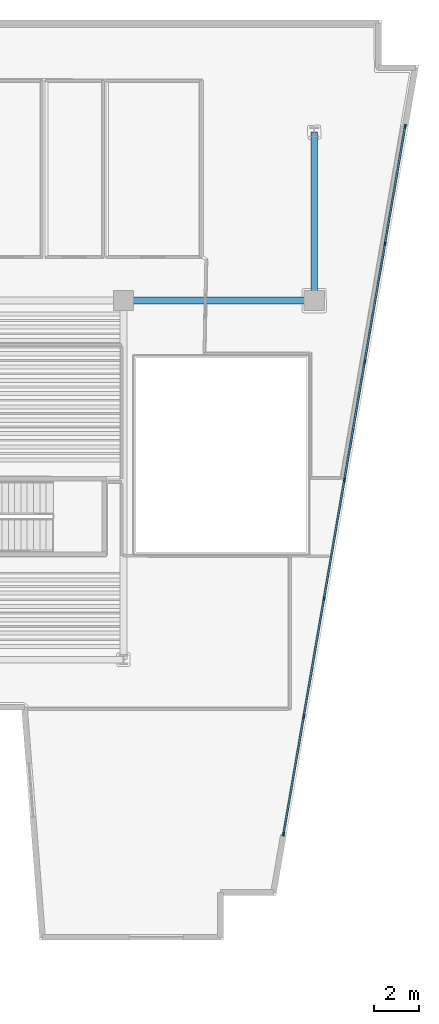
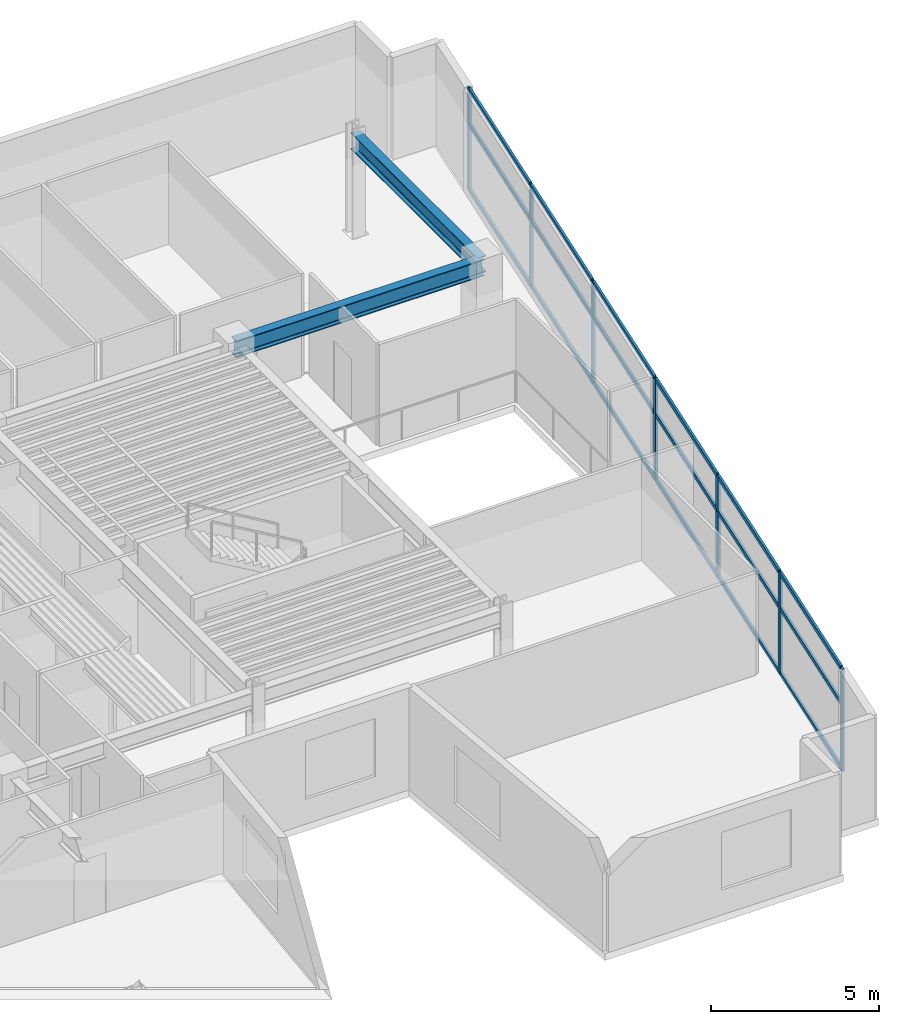
# One storey, part 2 of 9: 25 members, 2 beams, 1 element without a shape of its own.
"""IFC4 building model written with IfcOpenShell, lengths in metres."""

from ifc_helpers import new_model, si_unit, direction, frame, origin, origin_2d, place, context, subcontext, project, spatial, rectangle, i_section, extrude, material, layer, layer_set, material_profile, profile_set, type_object, element, aggregate, save


model = new_model("IFC4")

# Units and contexts
model_context = context("Model", 3, precision=1e-05, world=origin(), true_north=direction((0.0, 1.0)))
body_context = subcontext(model_context, "Body", "Model", "MODEL_VIEW")
ifc_project = project(units=[si_unit("LENGTHUNIT", "METRE"), si_unit("AREAUNIT", "SQUARE_METRE"), si_unit("VOLUMEUNIT", "CUBIC_METRE"), si_unit("PLANEANGLEUNIT", "RADIAN"), si_unit("MASSUNIT", "GRAM", prefix="KILO")], contexts=[model_context])

# Site, building, storey
site_placement = place(None, origin())
site = spatial("IfcSite", under=ifc_project, at=site_placement, CompositionType="ELEMENT")
building_placement = place(site_placement, origin())
building = spatial("IfcBuilding", under=site, at=building_placement, Name="Caeloran Harvest Quay", CompositionType="ELEMENT")
storey_placement = place(building_placement, frame((0.0, 0.0, 199.550048828125)))
storey = spatial("IfcBuildingStorey", under=building, at=storey_placement, Name="L47", CompositionType="ELEMENT", Elevation=199.550048828125)

# Beams
ifc_material_1 = material(Name="Steel S355J2", Category="steel")
ifc_material_profile_1 = material_profile(ifc_material_1, i_section(OverallWidth=0.300048828125, OverallDepth=0.60009765625, WebThickness=0.015380859375, FlangeThickness=0.030029296875, FilletRadius=0.027099609375, at=origin_2d()), Name="HE 600 B")
ifc_profile_set_1 = profile_set([ifc_material_profile_1], Name="Steel S355J2")
beam_type = type_object("IfcBeamType", Name="BM-PG-3-HE_600_B", PredefinedType="BEAM", material=ifc_profile_set_1)
beam_1_placement = place(storey_placement, frame((34.0, 31.0, 3.39990234375), z_axis=(1.0, 0.0, 0.0), x_axis=(0.0, 1.0, 0.0)))
element("IfcBeam", 1, at=beam_1_placement, inside=storey, type_object=beam_type, Name="L47 Primary East-West Girder Y=31.0", PredefinedType="BEAM", context=body_context, shape_type="SweptSolid", body=[
    extrude(i_section(OverallWidth=0.300048828125, OverallDepth=0.60009765625, WebThickness=0.015380859375, FlangeThickness=0.030029296875, FilletRadius=0.027099609375, at=origin_2d()), origin(), (0.0, 0.0, 1.0), 8.5),
])
beam_2_placement = place(storey_placement, frame((42.5, 31.0, 3.39990234375), z_axis=(0.0, 1.0, 0.0), x_axis=(-1.0, 0.0, 0.0)))
element("IfcBeam", 2, at=beam_2_placement, inside=storey, type_object=beam_type, Name="L47 Primary North-South Girder X=42.5", PredefinedType="BEAM", context=body_context, shape_type="SweptSolid", body=[
    extrude(i_section(OverallWidth=0.300048828125, OverallDepth=0.60009765625, WebThickness=0.015380859375, FlangeThickness=0.030029296875, FilletRadius=0.027099609375, at=origin_2d()), origin(), (0.0, 0.0, 1.0), 7.5),
])

# Curtain wall, members
ifc_material_2 = material(Name="Aluminium 6063-T6 and Low-E Glazing", Category="aluminium")
ifc_layer = layer(ifc_material_2, 0.2099609375, Name="Aluminium 6063-T6 and Low-E Glazing")
ifc_layer_set = layer_set([ifc_layer], Name="Aluminium 6063-T6 and Low-E Glazing")
curtain_wall_type = type_object("IfcCurtainWallType", Name="CW-SYS-CW-4", PredefinedType="USERDEFINED", material=ifc_layer_set)
curtain_wall_placement = place(storey_placement, origin())
curtain_wall = element("IfcCurtainWall", 3, at=curtain_wall_placement, inside=storey, type_object=curtain_wall_type, Name="L47 Unitised Curtain Wall CW-4 Run 9", ObjectType="CURTAIN_WALL", PredefinedType="USERDEFINED")
ifc_material_3 = material(Name="Aluminium 6063-T6", Category="aluminium")
ifc_material_profile_2 = material_profile(ifc_material_3, rectangle(XDim=0.080078125, YDim=0.179931640625, at=origin_2d()), Name="CW-MULLION-180")
ifc_profile_set_2 = profile_set([ifc_material_profile_2], Name="Aluminium 6063-T6")
member_type_1 = type_object("IfcMemberType", Name="CW-MULLION-180", PredefinedType="MULLION", material=ifc_profile_set_2)
member_1_placement = place(storey_placement, frame((46.5546875, 38.76806640625, 0.0), z_axis=(0.0, 0.0, 1.0), x_axis=(0.985548695604, -0.169392351048, 0.0)))
member_1 = element("IfcMember", 4, at=member_1_placement, type_object=member_type_1, Name="CW-4 mullion 1", PredefinedType="MULLION", context=body_context, shape_type="SweptSolid", body=[
    extrude(rectangle(XDim=0.080078125, YDim=0.179931640625, at=origin_2d()), origin(), (0.0, 0.0, 1.0), 3.699951171875),
])
member_2_placement = place(storey_placement, frame((45.65576171875, 33.538330078125, 0.0), z_axis=(0.0, 0.0, 1.0), x_axis=(0.985548695604, -0.169392351048, 0.0)))
member_2 = element("IfcMember", 5, at=member_2_placement, type_object=member_type_1, Name="CW-4 mullion 2", PredefinedType="MULLION", context=body_context, shape_type="SweptSolid", body=[
    extrude(rectangle(XDim=0.080078125, YDim=0.179931640625, at=origin_2d()), origin(), (0.0, 0.0, 1.0), 3.699951171875),
])
member_3_placement = place(storey_placement, frame((44.750244140625, 28.269287109375, 0.0), z_axis=(0.0, 0.0, 1.0), x_axis=(0.985548695604, -0.169392351048, 0.0)))
member_3 = element("IfcMember", 6, at=member_3_placement, type_object=member_type_1, Name="CW-4 mullion 3", PredefinedType="MULLION", context=body_context, shape_type="SweptSolid", body=[
    extrude(rectangle(XDim=0.080078125, YDim=0.179931640625, at=origin_2d()), origin(), (0.0, 0.0, 1.0), 3.699951171875),
])
member_4_placement = place(storey_placement, frame((43.844482421875, 23.0, 0.0), z_axis=(0.0, 0.0, 1.0), x_axis=(0.985548695604, -0.169392351048, 0.0)))
member_4 = element("IfcMember", 7, at=member_4_placement, type_object=member_type_1, Name="CW-4 mullion 4", PredefinedType="MULLION", context=body_context, shape_type="SweptSolid", body=[
    extrude(rectangle(XDim=0.080078125, YDim=0.179931640625, at=origin_2d()), origin(), (0.0, 0.0, 1.0), 3.699951171875),
])
member_5_placement = place(storey_placement, frame((42.93896484375, 17.730712890625, 0.0), z_axis=(0.0, 0.0, 1.0), x_axis=(0.985548695604, -0.169392351048, 0.0)))
member_5 = element("IfcMember", 8, at=member_5_placement, type_object=member_type_1, Name="CW-4 mullion 5", PredefinedType="MULLION", context=body_context, shape_type="SweptSolid", body=[
    extrude(rectangle(XDim=0.080078125, YDim=0.179931640625, at=origin_2d()), origin(), (0.0, 0.0, 1.0), 3.699951171875),
])
member_6_placement = place(storey_placement, frame((42.033203125, 12.461669921875, 0.0), z_axis=(0.0, 0.0, 1.0), x_axis=(0.985548695604, -0.169392351048, 0.0)))
member_6 = element("IfcMember", 9, at=member_6_placement, type_object=member_type_1, Name="CW-4 mullion 6", PredefinedType="MULLION", context=body_context, shape_type="SweptSolid", body=[
    extrude(rectangle(XDim=0.080078125, YDim=0.179931640625, at=origin_2d()), origin(), (0.0, 0.0, 1.0), 3.699951171875),
])
member_7_placement = place(storey_placement, frame((41.13427734375, 7.23193359375, 0.0), z_axis=(0.0, 0.0, 1.0), x_axis=(0.985548695604, -0.169392351048, 0.0)))
member_7 = element("IfcMember", 10, at=member_7_placement, type_object=member_type_1, Name="CW-4 mullion 7", PredefinedType="MULLION", context=body_context, shape_type="SweptSolid", body=[
    extrude(rectangle(XDim=0.080078125, YDim=0.179931640625, at=origin_2d()), origin(), (0.0, 0.0, 1.0), 3.699951171875),
])
ifc_material_profile_3 = material_profile(ifc_material_3, rectangle(XDim=0.080078125, YDim=0.14990234375, at=origin_2d()), Name="CW-TRANSOM-150")
ifc_profile_set_3 = profile_set([ifc_material_profile_3], Name="Aluminium 6063-T6")
member_type_2 = type_object("IfcMemberType", Name="CW-TRANSOM-150", PredefinedType="USERDEFINED", material=ifc_profile_set_3)
member_8_placement = place(storey_placement, frame((46.5478515625, 38.728759765625, 0.0400390625), z_axis=(-0.169381290327, -0.985550596614, 0.0), x_axis=(0.985550596614, -0.169381290327, 0.0)))
member_8 = element("IfcMember", 11, at=member_8_placement, type_object=member_type_2, Name="CW-4 transom 1.1", ObjectType="TRANSOM", PredefinedType="USERDEFINED", context=body_context, shape_type="SweptSolid", body=[
    extrude(rectangle(XDim=0.080078125, YDim=0.14990234375, at=origin_2d()), origin(), (0.0, 0.0, 1.0), 5.226318359375),
])
member_9_placement = place(storey_placement, frame((46.5478515625, 38.728759765625, 2.39990234375), z_axis=(-0.169381290327, -0.985550596614, 0.0), x_axis=(0.985550596614, -0.169381290327, 0.0)))
member_9 = element("IfcMember", 12, at=member_9_placement, type_object=member_type_2, Name="CW-4 transom 1.2", ObjectType="TRANSOM", PredefinedType="USERDEFINED", context=body_context, shape_type="SweptSolid", body=[
    extrude(rectangle(XDim=0.080078125, YDim=0.14990234375, at=origin_2d()), origin(), (0.0, 0.0, 1.0), 5.226318359375),
])
member_10_placement = place(storey_placement, frame((46.5478515625, 38.728759765625, 3.659912109375), z_axis=(-0.169381290327, -0.985550596614, 0.0), x_axis=(0.985550596614, -0.169381290327, 0.0)))
member_10 = element("IfcMember", 13, at=member_10_placement, type_object=member_type_2, Name="CW-4 transom 1.3", ObjectType="TRANSOM", PredefinedType="USERDEFINED", context=body_context, shape_type="SweptSolid", body=[
    extrude(rectangle(XDim=0.080078125, YDim=0.14990234375, at=origin_2d()), origin(), (0.0, 0.0, 1.0), 5.226318359375),
])
member_11_placement = place(storey_placement, frame((45.649169921875, 33.4990234375, 0.0400390625), z_axis=(-0.169388401421, -0.985549374442, 0.0), x_axis=(0.985549374442, -0.169388401421, 0.0)))
member_11 = element("IfcMember", 14, at=member_11_placement, type_object=member_type_2, Name="CW-4 transom 2.1", ObjectType="TRANSOM", PredefinedType="USERDEFINED", context=body_context, shape_type="SweptSolid", body=[
    extrude(rectangle(XDim=0.080078125, YDim=0.14990234375, at=origin_2d()), origin(), (0.0, 0.0, 1.0), 5.2666015625),
])
member_12_placement = place(storey_placement, frame((45.649169921875, 33.4990234375, 2.39990234375), z_axis=(-0.169388401421, -0.985549374442, 0.0), x_axis=(0.985549374442, -0.169388401421, 0.0)))
member_12 = element("IfcMember", 15, at=member_12_placement, type_object=member_type_2, Name="CW-4 transom 2.2", ObjectType="TRANSOM", PredefinedType="USERDEFINED", context=body_context, shape_type="SweptSolid", body=[
    extrude(rectangle(XDim=0.080078125, YDim=0.14990234375, at=origin_2d()), origin(), (0.0, 0.0, 1.0), 5.2666015625),
])
member_13_placement = place(storey_placement, frame((45.649169921875, 33.4990234375, 3.659912109375), z_axis=(-0.169388401421, -0.985549374442, 0.0), x_axis=(0.985549374442, -0.169388401421, 0.0)))
member_13 = element("IfcMember", 16, at=member_13_placement, type_object=member_type_2, Name="CW-4 transom 2.3", ObjectType="TRANSOM", PredefinedType="USERDEFINED", context=body_context, shape_type="SweptSolid", body=[
    extrude(rectangle(XDim=0.080078125, YDim=0.14990234375, at=origin_2d()), origin(), (0.0, 0.0, 1.0), 5.2666015625),
])
member_14_placement = place(storey_placement, frame((44.743408203125, 28.229736328125, 0.0400390625), z_axis=(-0.169388401421, -0.985549374442, 0.0), x_axis=(0.985549374442, -0.169388401421, 0.0)))
member_14 = element("IfcMember", 17, at=member_14_placement, type_object=member_type_2, Name="CW-4 transom 3.1", ObjectType="TRANSOM", PredefinedType="USERDEFINED", context=body_context, shape_type="SweptSolid", body=[
    extrude(rectangle(XDim=0.080078125, YDim=0.14990234375, at=origin_2d()), origin(), (0.0, 0.0, 1.0), 5.2666015625),
])
member_15_placement = place(storey_placement, frame((44.743408203125, 28.229736328125, 2.39990234375), z_axis=(-0.169388401421, -0.985549374442, 0.0), x_axis=(0.985549374442, -0.169388401421, 0.0)))
member_15 = element("IfcMember", 18, at=member_15_placement, type_object=member_type_2, Name="CW-4 transom 3.2", ObjectType="TRANSOM", PredefinedType="USERDEFINED", context=body_context, shape_type="SweptSolid", body=[
    extrude(rectangle(XDim=0.080078125, YDim=0.14990234375, at=origin_2d()), origin(), (0.0, 0.0, 1.0), 5.2666015625),
])
member_16_placement = place(storey_placement, frame((44.743408203125, 28.229736328125, 3.659912109375), z_axis=(-0.169388401421, -0.985549374442, 0.0), x_axis=(0.985549374442, -0.169388401421, 0.0)))
member_16 = element("IfcMember", 19, at=member_16_placement, type_object=member_type_2, Name="CW-4 transom 3.3", ObjectType="TRANSOM", PredefinedType="USERDEFINED", context=body_context, shape_type="SweptSolid", body=[
    extrude(rectangle(XDim=0.080078125, YDim=0.14990234375, at=origin_2d()), origin(), (0.0, 0.0, 1.0), 5.2666015625),
])
member_17_placement = place(storey_placement, frame((43.837890625, 22.960693359375, 0.0400390625), z_axis=(-0.169433427775, -0.985541634611, 0.0), x_axis=(0.985541634611, -0.169433427775, 0.0)))
member_17 = element("IfcMember", 20, at=member_17_placement, type_object=member_type_2, Name="CW-4 transom 4.1", ObjectType="TRANSOM", PredefinedType="USERDEFINED", context=body_context, shape_type="SweptSolid", body=[
    extrude(rectangle(XDim=0.080078125, YDim=0.14990234375, at=origin_2d()), origin(), (0.0, 0.0, 1.0), 5.2666015625),
])
member_18_placement = place(storey_placement, frame((43.837890625, 22.960693359375, 2.39990234375), z_axis=(-0.169433427775, -0.985541634611, 0.0), x_axis=(0.985541634611, -0.169433427775, 0.0)))
member_18 = element("IfcMember", 21, at=member_18_placement, type_object=member_type_2, Name="CW-4 transom 4.2", ObjectType="TRANSOM", PredefinedType="USERDEFINED", context=body_context, shape_type="SweptSolid", body=[
    extrude(rectangle(XDim=0.080078125, YDim=0.14990234375, at=origin_2d()), origin(), (0.0, 0.0, 1.0), 5.2666015625),
])
member_19_placement = place(storey_placement, frame((43.837890625, 22.960693359375, 3.659912109375), z_axis=(-0.169433427775, -0.985541634611, 0.0), x_axis=(0.985541634611, -0.169433427775, 0.0)))
member_19 = element("IfcMember", 22, at=member_19_placement, type_object=member_type_2, Name="CW-4 transom 4.3", ObjectType="TRANSOM", PredefinedType="USERDEFINED", context=body_context, shape_type="SweptSolid", body=[
    extrude(rectangle(XDim=0.080078125, YDim=0.14990234375, at=origin_2d()), origin(), (0.0, 0.0, 1.0), 5.2666015625),
])
member_20_placement = place(storey_placement, frame((42.93212890625, 17.69140625, 0.0400390625), z_axis=(-0.169388401421, -0.985549374442, 0.0), x_axis=(0.985549374442, -0.169388401421, 0.0)))
member_20 = element("IfcMember", 23, at=member_20_placement, type_object=member_type_2, Name="CW-4 transom 5.1", ObjectType="TRANSOM", PredefinedType="USERDEFINED", context=body_context, shape_type="SweptSolid", body=[
    extrude(rectangle(XDim=0.080078125, YDim=0.14990234375, at=origin_2d()), origin(), (0.0, 0.0, 1.0), 5.2666015625),
])
member_21_placement = place(storey_placement, frame((42.93212890625, 17.69140625, 2.39990234375), z_axis=(-0.169388401421, -0.985549374442, 0.0), x_axis=(0.985549374442, -0.169388401421, 0.0)))
member_21 = element("IfcMember", 24, at=member_21_placement, type_object=member_type_2, Name="CW-4 transom 5.2", ObjectType="TRANSOM", PredefinedType="USERDEFINED", context=body_context, shape_type="SweptSolid", body=[
    extrude(rectangle(XDim=0.080078125, YDim=0.14990234375, at=origin_2d()), origin(), (0.0, 0.0, 1.0), 5.2666015625),
])
member_22_placement = place(storey_placement, frame((42.93212890625, 17.69140625, 3.659912109375), z_axis=(-0.169388401421, -0.985549374442, 0.0), x_axis=(0.985549374442, -0.169388401421, 0.0)))
member_22 = element("IfcMember", 25, at=member_22_placement, type_object=member_type_2, Name="CW-4 transom 5.3", ObjectType="TRANSOM", PredefinedType="USERDEFINED", context=body_context, shape_type="SweptSolid", body=[
    extrude(rectangle(XDim=0.080078125, YDim=0.14990234375, at=origin_2d()), origin(), (0.0, 0.0, 1.0), 5.2666015625),
])
member_23_placement = place(storey_placement, frame((42.0263671875, 12.422119140625, 0.0400390625), z_axis=(-0.169381290327, -0.985550596614, 0.0), x_axis=(0.985550596614, -0.169381290327, 0.0)))
member_23 = element("IfcMember", 26, at=member_23_placement, type_object=member_type_2, Name="CW-4 transom 6.1", ObjectType="TRANSOM", PredefinedType="USERDEFINED", context=body_context, shape_type="SweptSolid", body=[
    extrude(rectangle(XDim=0.080078125, YDim=0.14990234375, at=origin_2d()), origin(), (0.0, 0.0, 1.0), 5.226318359375),
])
member_24_placement = place(storey_placement, frame((42.0263671875, 12.422119140625, 2.39990234375), z_axis=(-0.169381290327, -0.985550596614, 0.0), x_axis=(0.985550596614, -0.169381290327, 0.0)))
member_24 = element("IfcMember", 27, at=member_24_placement, type_object=member_type_2, Name="CW-4 transom 6.2", ObjectType="TRANSOM", PredefinedType="USERDEFINED", context=body_context, shape_type="SweptSolid", body=[
    extrude(rectangle(XDim=0.080078125, YDim=0.14990234375, at=origin_2d()), origin(), (0.0, 0.0, 1.0), 5.226318359375),
])
member_25_placement = place(storey_placement, frame((42.0263671875, 12.422119140625, 3.659912109375), z_axis=(-0.169381290327, -0.985550596614, 0.0), x_axis=(0.985550596614, -0.169381290327, 0.0)))
member_25 = element("IfcMember", 28, at=member_25_placement, type_object=member_type_2, Name="CW-4 transom 6.3", ObjectType="TRANSOM", PredefinedType="USERDEFINED", context=body_context, shape_type="SweptSolid", body=[
    extrude(rectangle(XDim=0.080078125, YDim=0.14990234375, at=origin_2d()), origin(), (0.0, 0.0, 1.0), 5.226318359375),
])
aggregate(curtain_wall, [member_1, member_2, member_3, member_4, member_5, member_6, member_7, member_8, member_9, member_10, member_11, member_12, member_13, member_14, member_15, member_16, member_17, member_18, member_19, member_20, member_21, member_22, member_23, member_24, member_25])

save(model, "model.ifc")
